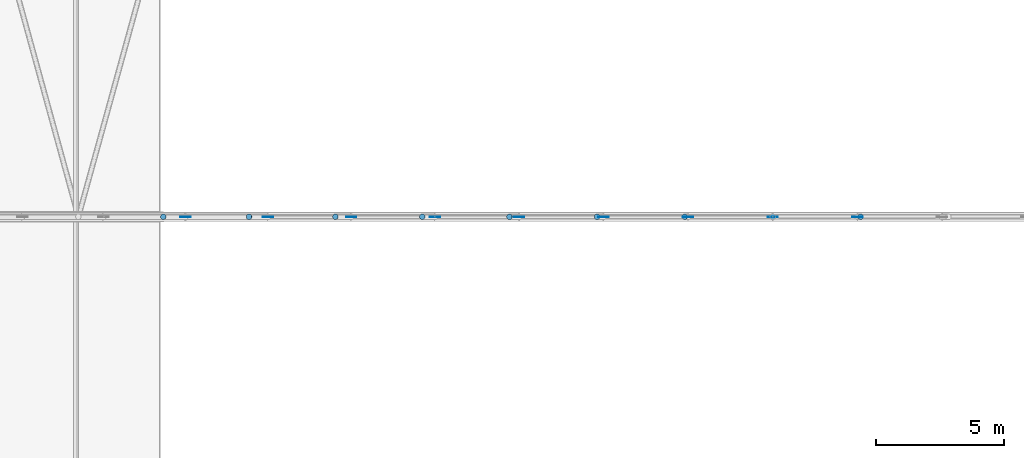
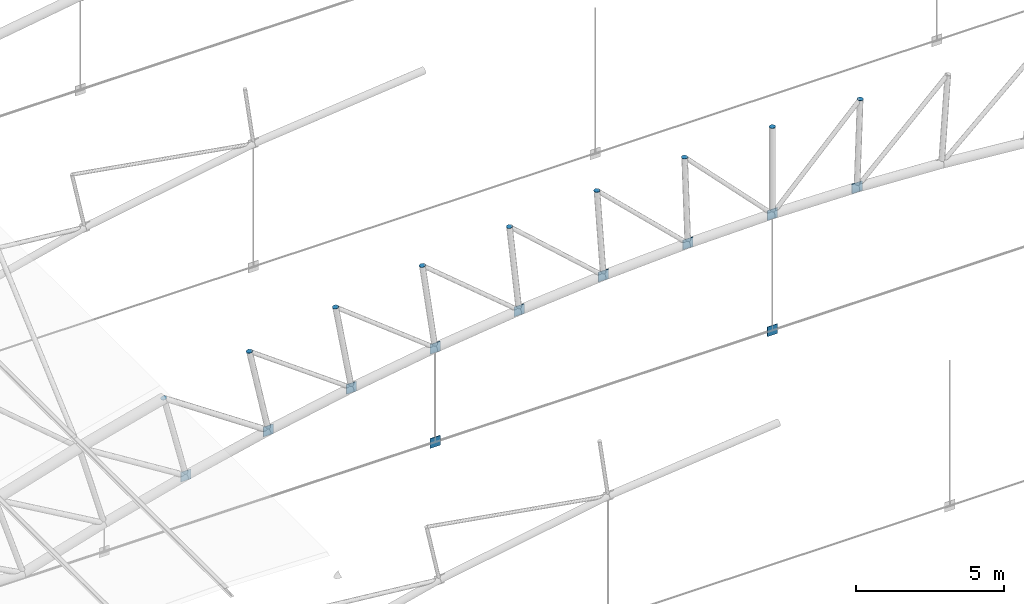
# One storey, part 273 of 321: 20 discrete accessories.
"""IFC4 building model written with IfcOpenShell, lengths in metres."""

import ifcopenshell
import ifcopenshell.guid

model = None  # the IFC model being written
_history = None  # IfcOwnerHistory: only IFC2X3 demands one
_inside = {}  # id of a spatial element -> (the spatial element, [elements in it])
_under = {}  # id of a project, library or spatial element -> (it, [spatial elements below it])
_declared = {}  # id of a project -> (the project, [libraries it declares])
_typed = {}  # id of a type object -> (the type object, [elements of that type])
_made_of = {}  # id of a material, layer set ... -> (it, [elements and type objects made of it])


def new_model(schema):
    """Start an empty IFC model of exactly this schema.

    Asked for "IFC4X3", IfcOpenShell would pick the latest addendum, in which some entities
    have other attributes; the version numbers below select the first issue.
    IFC2X3 requires an IfcOwnerHistory on every rooted entity: one is made here for all.
    """
    global model, _history
    if schema == "IFC4X3":
        model = ifcopenshell.file(schema_version=(4, 3, 0, 0))
    else:
        model = ifcopenshell.file(schema=schema)
    _inside.clear()
    _under.clear()
    _declared.clear()
    _typed.clear()
    _made_of.clear()
    _history = None
    if model.schema == "IFC2X3":
        org = make("IfcOrganization", Name="unknown")
        user = make(
            "IfcPersonAndOrganization",
            ThePerson=make("IfcPerson", FamilyName="unknown"),
            TheOrganization=org,
        )
        app = make(
            "IfcApplication",
            ApplicationDeveloper=org,
            Version="unknown",
            ApplicationFullName="unknown",
            ApplicationIdentifier="unknown",
        )
        _history = make(
            "IfcOwnerHistory",
            OwningUser=user,
            OwningApplication=app,
            ChangeAction="ADDED",
            CreationDate=0,
        )
    return model


def make(cls, **values):
    """One entity of the class cls with the attributes given. An attribute that is None is left unset."""
    return model.create_entity(
        cls, **{name: value for name, value in values.items() if value is not None}
    )


def rooted(cls, **values):
    """An entity with a GlobalId (a new one), such as an element, a storey or a relation."""
    return make(cls, GlobalId=ifcopenshell.guid.new(), OwnerHistory=_history, **values)


def si_unit(unit_type, name, prefix=None):
    """IfcSIUnit, for example si_unit("LENGTHUNIT", "METRE", prefix="MILLI")."""
    return make("IfcSIUnit", UnitType=unit_type, Prefix=prefix, Name=name)


def assignment(units):
    """IfcUnitAssignment: the units of a project."""
    return None if units is None else make("IfcUnitAssignment", Units=units)


def point(xyz):
    """IfcCartesianPoint."""
    return None if xyz is None else make("IfcCartesianPoint", Coordinates=xyz)


def direction(xyz):
    """IfcDirection."""
    return None if xyz is None else make("IfcDirection", DirectionRatios=xyz)


def frame(location, z_axis=None, x_axis=None):
    """IfcAxis2Placement3D, a coordinate frame: its origin and axes. An axis left out is left unset."""
    return make(
        "IfcAxis2Placement3D",
        Location=point(location),
        Axis=direction(z_axis),
        RefDirection=direction(x_axis),
    )


def frame_2d(location, x_axis=None):
    """IfcAxis2Placement2D, a coordinate frame in the plane: its origin and x axis."""
    return make(
        "IfcAxis2Placement2D", Location=point(location), RefDirection=direction(x_axis)
    )


def origin():
    """The frame at (0, 0, 0) with its axes left unset."""
    return frame((0.0, 0.0, 0.0))


def origin_2d():
    """The frame at (0, 0) in the plane with its x axis left unset."""
    return frame_2d((0.0, 0.0))


def place(relative_to, where):
    """IfcLocalPlacement: puts the frame where relative to a parent placement (None: the world)."""
    return make(
        "IfcLocalPlacement", PlacementRelTo=relative_to, RelativePlacement=where
    )


def context(
    kind, dimensions, precision=None, world=None, true_north=None, identifier=None
):
    """IfcGeometricRepresentationContext, for example the 3D "Model" context."""
    return make(
        "IfcGeometricRepresentationContext",
        ContextIdentifier=identifier,
        ContextType=kind,
        CoordinateSpaceDimension=dimensions,
        Precision=precision,
        WorldCoordinateSystem=world,
        TrueNorth=true_north,
    )


def subcontext(parent, identifier, kind, view, scale=None):
    """IfcGeometricRepresentationSubContext, for example "Body" below "Model"."""
    return make(
        "IfcGeometricRepresentationSubContext",
        ContextIdentifier=identifier,
        ContextType=kind,
        ParentContext=parent,
        TargetScale=scale,
        TargetView=view,
    )


def project(units=None, contexts=None):
    """IfcProject with its units and contexts."""
    return rooted(
        "IfcProject",
        Name="project",
        RepresentationContexts=contexts,
        UnitsInContext=assignment(units),
    )


def spatial(cls, under=None, at=None, **own):
    """A site, building, storey or space (cls), placed at a placement, below another one or the project."""
    s = rooted(cls, ObjectPlacement=at, **own)
    if under is not None:
        _under.setdefault(under.id(), (under, []))[1].append(s)
    return s


def profile(cls, at=None, kind="AREA", **sizes):
    """A parametric profile (cls). Its sizes go by their IFC names, for example OverallWidth=200.0."""
    return make(cls, ProfileType=kind, Position=at, **sizes)


def rectangle(**sizes):
    """IfcRectangleProfileDef."""
    return profile("IfcRectangleProfileDef", **sizes)


def circle(**sizes):
    """IfcCircleProfileDef."""
    return profile("IfcCircleProfileDef", **sizes)


def extrude(swept, where, along, depth):
    """IfcExtrudedAreaSolid: the profile swept, set in the frame where, extruded along a direction by depth."""
    return make(
        "IfcExtrudedAreaSolid",
        SweptArea=swept,
        Position=where,
        ExtrudedDirection=direction(along),
        Depth=depth,
    )


def shape(context_of_items, identifier, shape_type, items):
    """IfcShapeRepresentation: the items that make up one representation, for example the "Body"."""
    return make(
        "IfcShapeRepresentation",
        ContextOfItems=context_of_items,
        RepresentationIdentifier=identifier,
        RepresentationType=shape_type,
        Items=items,
    )


def material(Name=None, Category=None):
    """IfcMaterial."""
    return make("IfcMaterial", Name=Name, Category=Category)


def material_profile(
    of_material, cross_section, Name=None, Category=None, Priority=None
):
    """IfcMaterialProfile: a cross section and its material."""
    return make(
        "IfcMaterialProfile",
        Name=Name,
        Material=of_material,
        Profile=cross_section,
        Priority=Priority,
        Category=Category,
    )


def profile_set(profiles, Name=None, composite=None):
    """IfcMaterialProfileSet."""
    return make(
        "IfcMaterialProfileSet",
        Name=Name,
        MaterialProfiles=profiles,
        CompositeProfile=composite,
    )


def made_of(thing, what):
    """Note that an element or type object is made of a material, layer set ...; save() writes the relation."""
    if what is not None:
        _made_of.setdefault(what.id(), (what, []))[1].append(thing)
    return thing


def type_object(cls, material=None, **own):
    """A type object (cls), such as IfcWallType, which elements share."""
    return made_of(rooted(cls, **own), material)


def element(
    cls,
    number,
    at=None,
    inside=None,
    cuts=None,
    type_object=None,
    material=None,
    context=None,
    identifier="Body",
    shape_type=None,
    held_by="IfcProductDefinitionShape",
    body=None,
    shapes=None,
    **own,
):
    """One element of the class cls, such as IfcWall. Its Tag is "e" and its number.

    at: its placement. inside: the storey or other place that contains it. cuts: it is an
    opening in that element (IfcRelVoidsElement). A single representation is given by context,
    identifier, shape_type and body (its items); several are given by shapes. held_by: the class
    of the entity that holds the representations. save() writes the other relations.
    """
    e = rooted(cls, Tag="e%d" % number, ObjectPlacement=at, **own)
    if body is not None:
        shapes = [shape(context, identifier, shape_type, body)]
    if shapes is not None:
        e.Representation = make(held_by, Representations=shapes)
    if inside is not None:
        _inside.setdefault(inside.id(), (inside, []))[1].append(e)
    if cuts is not None:
        rooted(
            "IfcRelVoidsElement", RelatingBuildingElement=cuts, RelatedOpeningElement=e
        )
    if type_object is not None:
        _typed.setdefault(type_object.id(), (type_object, []))[1].append(e)
    return made_of(e, material)


def aggregate(whole, parts):
    """IfcRelAggregates: a whole, such as a stair, and the parts it consists of."""
    return rooted("IfcRelAggregates", RelatingObject=whole, RelatedObjects=parts)


def save(model, path):
    """Write the relations noted so far, then the file.

    IfcRelAggregates (storeys below a building ...), IfcRelContainedInSpatialStructure (elements
    in a storey), IfcRelDefinesByType, IfcRelAssociatesMaterial and IfcRelDeclares: one each for
    every whole, place, type object, material and project.
    """
    for whole, parts in _under.values():
        aggregate(whole, parts)
    for where, things in _inside.values():
        rooted(
            "IfcRelContainedInSpatialStructure",
            RelatedElements=things,
            RelatingStructure=where,
        )
    for kind, things in _typed.values():
        rooted("IfcRelDefinesByType", RelatedObjects=things, RelatingType=kind)
    for what, things in _made_of.values():
        rooted("IfcRelAssociatesMaterial", RelatedObjects=things, RelatingMaterial=what)
    for by, libraries in _declared.values():
        rooted("IfcRelDeclares", RelatingContext=by, RelatedDefinitions=libraries)
    model.write(path)


model = new_model("IFC4")

# Units and contexts
model_context = context("Model", 3, precision=1e-05, world=origin(), true_north=direction((0.0, 1.0)))
body_context = subcontext(model_context, "Body", "Model", "MODEL_VIEW")
ifc_project = project(units=[si_unit("LENGTHUNIT", "METRE"), si_unit("AREAUNIT", "SQUARE_METRE"), si_unit("VOLUMEUNIT", "CUBIC_METRE"), si_unit("PLANEANGLEUNIT", "RADIAN"), si_unit("MASSUNIT", "GRAM", prefix="KILO")], contexts=[model_context])

# Site, building, storey
site_placement = place(None, origin())
site = spatial("IfcSite", under=ifc_project, at=site_placement, CompositionType="ELEMENT")
building_placement = place(site_placement, origin())
building = spatial("IfcBuilding", under=site, at=building_placement, Name="Ravi Spectrum Wholesale Market", CompositionType="ELEMENT")
storey_placement = place(building_placement, frame((0.0, 0.0, 10.800048828125)))
storey = spatial("IfcBuildingStorey", under=building, at=storey_placement, Name="L02", CompositionType="ELEMENT", Elevation=10.800048828125)

# Discrete accessories
ifc_material_1 = material(Name="Steel S355", Category="steel")
ifc_material_profile_1 = material_profile(ifc_material_1, circle(Radius=0.109619140625, at=origin_2d()))
ifc_profile_set_1 = profile_set([ifc_material_profile_1], Name="Steel S355")
discrete_accessory_type_1 = type_object("IfcDiscreteAccessoryType", Name="End plate CHS 219.1x8", PredefinedType="BRACKET", material=ifc_profile_set_1)
for number, where, z_axis, x_axis, name in (
    (1, (46.21923828125, 102.0, 5.514404296875), (-0.223376156329, 0.0, 0.974732318528), (0.0, -1.0, 0.0), "End plate"),
    (2, (49.563720703125, 102.0, 6.27734375), (-0.203954254112, 0.0, 0.978980419738), (0.0, -1.0, 0.0), "End plate"),
    (3, (52.9326171875, 102.0, 6.92431640625), (-0.18428853505, 0.0, 0.982872186934), (0.0, -1.0, 0.0), "End plate"),
    (4, (56.321533203125, 102.0, 7.45458984375), (-0.141421356237, 0.0, 0.989949493661), (0.0, -1.0, 0.0), "End plate"),
    (5, (59.726806640625, 102.0, 7.867919921875), (-0.101513688013, 0.0, 0.994834142531), (0.0, -1.0, 0.0), "End plate"),
    (6, (63.14453125, 102.0, 8.163330078125), (-0.081362009455, 0.0, 0.996684615823), (0.0, -1.0, 0.0), "End plate"),
    (7, (66.5703125, 102.0, 8.3408203125), (-0.040782369514, 0.0, 0.999168053101), (0.0, -1.0, 0.0), "End plate"),
    (8, (70.0, 102.0, 8.39990234375), (0.0, 0.0, 1.0), (1.0, 0.0, 0.0), "End plate"),
    (9, (73.4296875, 102.0, 8.3408203125), (0.040782369514, 0.0, 0.999168053101), (0.0, 1.0, 0.0), "End plate"),
):
    element("IfcDiscreteAccessory", number, at=place(storey_placement, frame(where, z_axis=z_axis, x_axis=x_axis)), inside=storey, type_object=discrete_accessory_type_1, Name=name, PredefinedType="BRACKET", context=body_context, shape_type="SweptSolid", body=[
        extrude(circle(Radius=0.109619140625, at=origin_2d()), origin(), (0.0, 0.0, 1.0), 0.011962890625),
    ])
ifc_material_2 = material(Name="Steel S355", Category="steel")
ifc_material_profile_2 = material_profile(ifc_material_2, rectangle(XDim=0.39990234375, YDim=0.02001953125, at=origin_2d()))
ifc_profile_set_2 = profile_set([ifc_material_profile_2], Name="Steel S355")
discrete_accessory_type_2 = type_object("IfcDiscreteAccessoryType", Name="Gusset plate 400x400x20", PredefinedType="BRACKET", material=ifc_profile_set_2)
for number, where, z_axis, x_axis, name in (
    (10, (47.080322265625, 102.0, 1.819091796875), (0.0, 0.0, 1.0), (1.0, 0.0, 0.0), "Gusset plate"),
    (11, (50.3037109375, 102.0, 2.55419921875), (0.0, 0.0, 1.0), (1.0, 0.0, 0.0), "Gusset plate"),
    (12, (53.55029296875, 102.0, 3.177734375), (0.0, 0.0, 1.0), (1.0, 0.0, 0.0), "Gusset plate"),
    (13, (56.81689453125, 102.0, -0.199951171875), (0.0, 0.0, 1.0), (1.0, 0.0, 0.0), "Gusset plate"),
    (14, (56.81689453125, 102.0, 3.68896484375), (0.0, 0.0, 1.0), (1.0, 0.0, 0.0), "Gusset plate"),
    (15, (60.098876953125, 102.0, 4.087158203125), (0.0, 0.0, 1.0), (1.0, 0.0, 0.0), "Gusset plate"),
):
    element("IfcDiscreteAccessory", number, at=place(storey_placement, frame(where, z_axis=z_axis, x_axis=x_axis)), inside=storey, type_object=discrete_accessory_type_2, Name=name, PredefinedType="BRACKET", context=body_context, shape_type="SweptSolid", body=[
        extrude(rectangle(XDim=0.39990234375, YDim=0.02001953125, at=origin_2d()), origin(), (0.0, 0.0, 1.0), 0.39990234375),
    ])
discrete_accessory_1_placement = place(storey_placement, frame((63.392578125, 102.0, 4.371826171875), z_axis=(0.0, 0.0, 1.0), x_axis=(1.0, 0.0, 0.0)))
element("IfcDiscreteAccessory", 16, at=discrete_accessory_1_placement, inside=storey, type_object=discrete_accessory_type_2, Name="Gusset plate", PredefinedType="BRACKET", context=body_context, shape_type="SweptSolid", body=[
    extrude(rectangle(XDim=0.39990234375, YDim=0.02001953125, at=origin_2d()), origin(), (0.0, 0.0, 1.0), 0.400146484375),
])
for number, where, z_axis, x_axis, name in (
    (17, (66.6943359375, 102.0, 4.54296875), (0.0, 0.0, 1.0), (1.0, 0.0, 0.0), "Gusset plate"),
    (18, (70.0, 102.0, -0.199951171875), (0.0, 0.0, 1.0), (1.0, 0.0, 0.0), "Gusset plate"),
):
    element("IfcDiscreteAccessory", number, at=place(storey_placement, frame(where, z_axis=z_axis, x_axis=x_axis)), inside=storey, type_object=discrete_accessory_type_2, Name=name, PredefinedType="BRACKET", context=body_context, shape_type="SweptSolid", body=[
        extrude(rectangle(XDim=0.39990234375, YDim=0.02001953125, at=origin_2d()), origin(), (0.0, 0.0, 1.0), 0.39990234375),
    ])
discrete_accessory_2_placement = place(storey_placement, frame((70.0, 102.0, 4.599853515625), z_axis=(0.0, 0.0, 1.0), x_axis=(1.0, 0.0, 0.0)))
element("IfcDiscreteAccessory", 19, at=discrete_accessory_2_placement, inside=storey, type_object=discrete_accessory_type_2, Name="Gusset plate", PredefinedType="BRACKET", context=body_context, shape_type="SweptSolid", body=[
    extrude(rectangle(XDim=0.39990234375, YDim=0.02001953125, at=origin_2d()), origin(), (0.0, 0.0, 1.0), 0.400146484375),
])
discrete_accessory_3_placement = place(storey_placement, frame((73.3056640625, 102.0, 4.54296875), z_axis=(0.0, 0.0, 1.0), x_axis=(-1.0, 0.0, 0.0)))
element("IfcDiscreteAccessory", 20, at=discrete_accessory_3_placement, inside=storey, type_object=discrete_accessory_type_2, Name="Gusset plate", PredefinedType="BRACKET", context=body_context, shape_type="SweptSolid", body=[
    extrude(rectangle(XDim=0.39990234375, YDim=0.02001953125, at=origin_2d()), origin(), (0.0, 0.0, 1.0), 0.39990234375),
])

save(model, "model.ifc")
